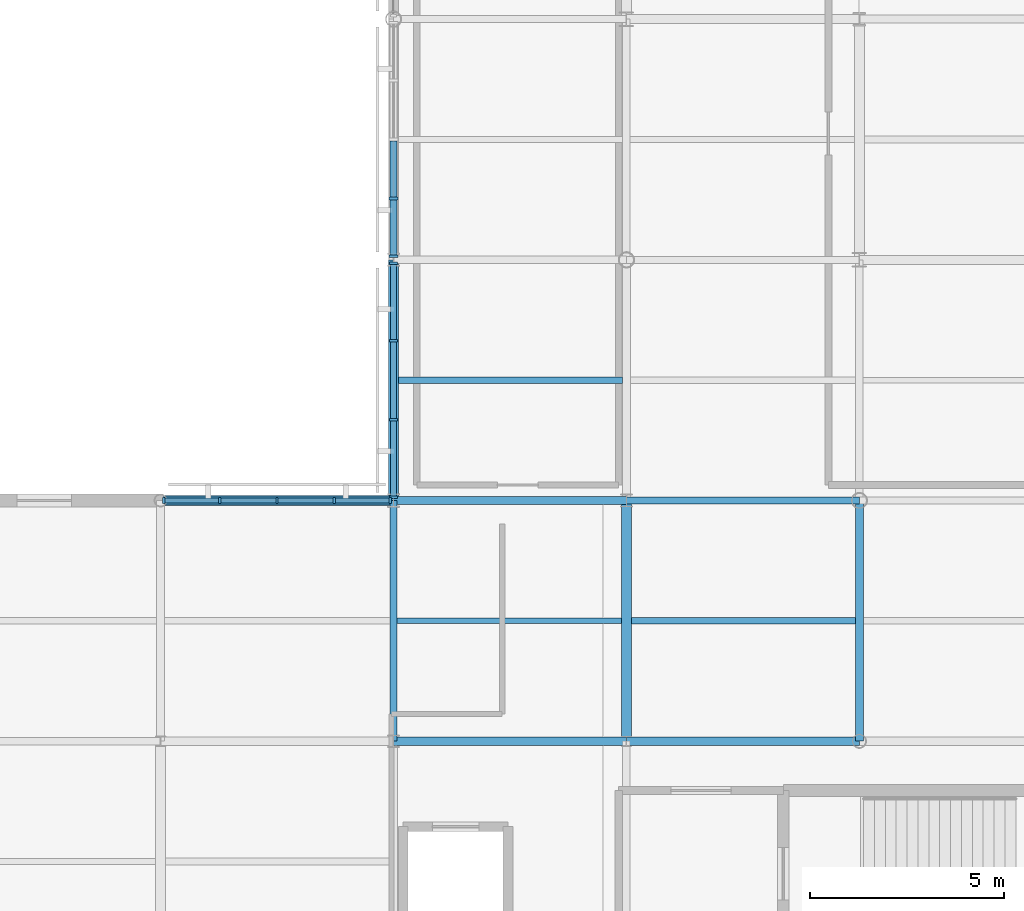
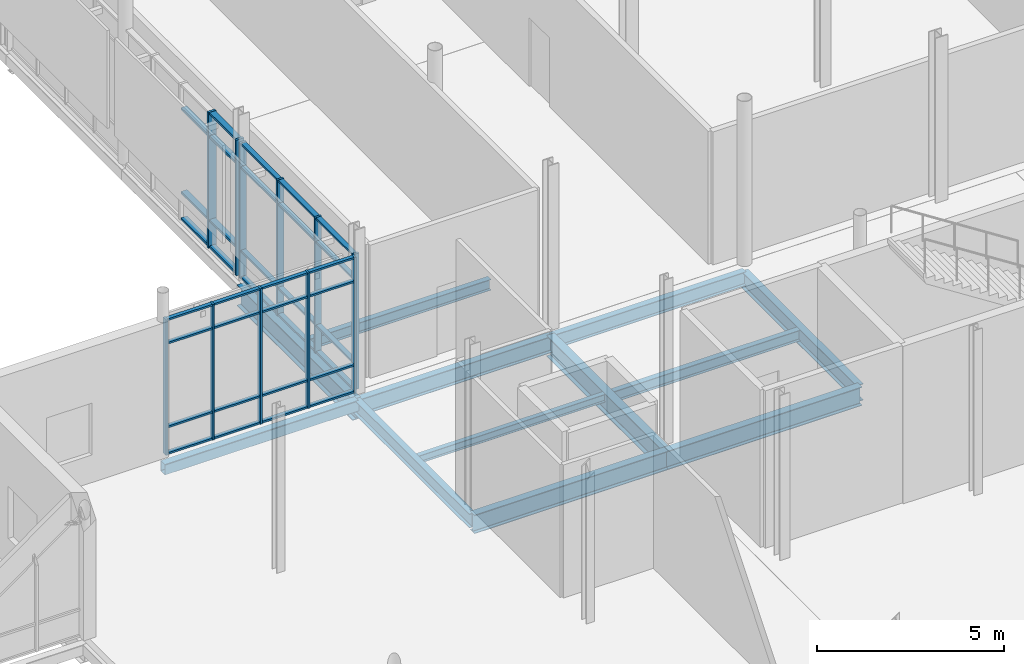
# One storey, part 42 of 105: 46 members, 12 beams, 3 elements without a shape of their own.
"""IFC4 building model written with IfcOpenShell, lengths in metres."""

from ifc_helpers import new_model, si_unit, direction, frame, origin, origin_2d, place, context, subcontext, project, spatial, rectangle, hollow_rectangle, i_section, extrude, material, layer, layer_set, material_profile, profile_set, type_object, element, aggregate, save


model = new_model("IFC4")

# Units and contexts
model_context = context("Model", 3, precision=1e-05, world=origin(), true_north=direction((0.0, 1.0)))
body_context = subcontext(model_context, "Body", "Model", "MODEL_VIEW")
ifc_project = project(units=[si_unit("LENGTHUNIT", "METRE"), si_unit("AREAUNIT", "SQUARE_METRE"), si_unit("VOLUMEUNIT", "CUBIC_METRE"), si_unit("PLANEANGLEUNIT", "RADIAN"), si_unit("MASSUNIT", "GRAM", prefix="KILO")], contexts=[model_context])

# Site, building, storey
site_placement = place(None, origin())
site = spatial("IfcSite", under=ifc_project, at=site_placement, CompositionType="ELEMENT")
building_placement = place(site_placement, origin())
building = spatial("IfcBuilding", under=site, at=building_placement, Name="Mirzam Square Science Centre", CompositionType="ELEMENT")
storey_placement = place(building_placement, frame((0.0, 0.0, 5.39990234375)))
storey = spatial("IfcBuildingStorey", under=building, at=storey_placement, Name="L01", CompositionType="ELEMENT", Elevation=5.39990234375)

# Beams
ifc_material_1 = material(Name="Steel S355", Category="steel")
ifc_material_profile_1 = material_profile(ifc_material_1, i_section(OverallWidth=0.19140625, OverallDepth=0.4599609375, WebThickness=0.010009765625, FlangeThickness=0.01611328125, FilletRadius=0.01025390625, at=origin_2d()), Name="457x191x82UB")
ifc_profile_set_1 = profile_set([ifc_material_profile_1], Name="Steel S355")
beam_type_1 = type_object("IfcBeamType", Name="BM-UB457", PredefinedType="BEAM", material=ifc_profile_set_1)
beam_1_placement = place(storey_placement, frame((120.0, 86.800048828125, -0.47998046875), z_axis=(1.0, 0.0, 0.0), x_axis=(0.0, 1.0, 0.0)))
element("IfcBeam", 1, at=beam_1_placement, inside=storey, type_object=beam_type_1, Name="L01 girder X21-15", PredefinedType="BEAM", context=body_context, shape_type="SweptSolid", body=[
    extrude(i_section(OverallWidth=0.19140625, OverallDepth=0.4599609375, WebThickness=0.010009765625, FlangeThickness=0.01611328125, FilletRadius=0.01025390625, at=origin_2d()), origin(), (0.0, 0.0, 1.0), 6.0),
])
beam_2_placement = place(storey_placement, frame((114.0, 80.60009765625, -0.47998046875), z_axis=(0.0, 1.0, 0.0), x_axis=(-1.0, 0.0, 0.0)))
element("IfcBeam", 2, at=beam_2_placement, inside=storey, type_object=beam_type_1, Name="L01 girder Y20-14", PredefinedType="BEAM", context=body_context, shape_type="SweptSolid", body=[
    extrude(i_section(OverallWidth=0.19140625, OverallDepth=0.4599609375, WebThickness=0.010009765625, FlangeThickness=0.01611328125, FilletRadius=0.01025390625, at=origin_2d()), origin(), (0.0, 0.0, 1.0), 6.199951171875),
])
ifc_material_profile_2 = material_profile(ifc_material_1, i_section(OverallWidth=0.2099609375, OverallDepth=0.53662109375, WebThickness=0.0107421875, FlangeThickness=0.017333984375, FilletRadius=0.0126953125, at=origin_2d()), Name="533x210x101UB")
ifc_profile_set_2 = profile_set([ifc_material_profile_2], Name="Steel S355")
beam_type_2 = type_object("IfcBeamType", Name="BM-UB533", PredefinedType="BEAM", material=ifc_profile_set_2)
beam_3_placement = place(storey_placement, frame((114.0, 86.800048828125, -0.518310546875), z_axis=(1.0, 0.0, 0.0), x_axis=(0.0, 1.0, 0.0)))
element("IfcBeam", 3, at=beam_3_placement, inside=storey, type_object=beam_type_2, Name="L01 girder X20-15", PredefinedType="BEAM", context=body_context, shape_type="SweptSolid", body=[
    extrude(i_section(OverallWidth=0.2099609375, OverallDepth=0.53662109375, WebThickness=0.0107421875, FlangeThickness=0.017333984375, FilletRadius=0.0126953125, at=origin_2d()), origin(), (0.0, 0.0, 1.0), 6.0),
])
beam_4_placement = place(storey_placement, frame((126.0, 80.60009765625, -0.518310546875), z_axis=(0.0, 1.0, 0.0), x_axis=(-1.0, 0.0, 0.0)))
element("IfcBeam", 4, at=beam_4_placement, inside=storey, type_object=beam_type_2, Name="L01 girder Y22-14", PredefinedType="BEAM", context=body_context, shape_type="SweptSolid", body=[
    extrude(i_section(OverallWidth=0.2099609375, OverallDepth=0.53662109375, WebThickness=0.0107421875, FlangeThickness=0.017333984375, FilletRadius=0.0126953125, at=origin_2d()), origin(), (0.0, 0.0, 1.0), 6.199951171875),
])
ifc_material_profile_3 = material_profile(ifc_material_1, i_section(OverallWidth=0.22900390625, OverallDepth=0.6123046875, WebThickness=0.011962890625, FlangeThickness=0.01953125, FilletRadius=0.0126953125, at=origin_2d()), Name="610x229x125UB")
ifc_profile_set_3 = profile_set([ifc_material_profile_3], Name="Steel S355")
beam_type_3 = type_object("IfcBeamType", Name="BM-UB610", PredefinedType="BEAM", material=ifc_profile_set_3)
for number, where, z_axis, x_axis, name in (
    (5, (114.0, 80.60009765625, -0.555908203125), (1.0, 0.0, 0.0), (0.0, 1.0, 0.0), "L01 girder X20-14"),
    (6, (120.0, 80.60009765625, -0.555908203125), (1.0, 0.0, 0.0), (0.0, 1.0, 0.0), "L01 girder X21-14"),
):
    element("IfcBeam", number, at=place(storey_placement, frame(where, z_axis=z_axis, x_axis=x_axis)), inside=storey, type_object=beam_type_3, Name=name, PredefinedType="BEAM", context=body_context, shape_type="SweptSolid", body=[
        extrude(i_section(OverallWidth=0.22900390625, OverallDepth=0.6123046875, WebThickness=0.011962890625, FlangeThickness=0.01953125, FilletRadius=0.0126953125, at=origin_2d()), origin(), (0.0, 0.0, 1.0), 6.0),
    ])
ifc_material_profile_4 = material_profile(ifc_material_1, i_section(OverallWidth=0.25439453125, OverallDepth=0.6875, WebThickness=0.01318359375, FlangeThickness=0.02099609375, FilletRadius=0.01513671875, at=origin_2d()), Name="686x254x152UB")
ifc_profile_set_4 = profile_set([ifc_material_profile_4], Name="Steel S355")
beam_type_4 = type_object("IfcBeamType", Name="BM-UB686", PredefinedType="BEAM", material=ifc_profile_set_4)
for number, where, z_axis, x_axis, name in (
    (7, (114.0, 86.800048828125, -0.593505859375), (0.0, 1.0, 0.0), (-1.0, 0.0, 0.0), "L01 girder Y20-15"),
    (8, (120.0, 80.60009765625, -0.593505859375), (0.0, 1.0, 0.0), (-1.0, 0.0, 0.0), "L01 girder Y21-14"),
):
    element("IfcBeam", number, at=place(storey_placement, frame(where, z_axis=z_axis, x_axis=x_axis)), inside=storey, type_object=beam_type_4, Name=name, PredefinedType="BEAM", context=body_context, shape_type="SweptSolid", body=[
        extrude(i_section(OverallWidth=0.25439453125, OverallDepth=0.6875, WebThickness=0.01318359375, FlangeThickness=0.02099609375, FilletRadius=0.01513671875, at=origin_2d()), origin(), (0.0, 0.0, 1.0), 6.199951171875),
    ])

# Curtain wall, members
ifc_material_2 = material(Name="Anodised Aluminium and Low-E Solar Glass", Category="aluminium")
ifc_layer_1 = layer(ifc_material_2, 0.159912109375)
ifc_layer_set_1 = layer_set([ifc_layer_1], Name="CW-COURT-B")
curtain_wall_type_1 = type_object("IfcCurtainWallType", Name="CW-COURT-B", PredefinedType="USERDEFINED", material=ifc_layer_set_1)
curtain_wall_1_placement = place(storey_placement, origin())
curtain_wall_1 = element("IfcCurtainWall", 9, at=curtain_wall_1_placement, inside=storey, type_object=curtain_wall_type_1, Name="L01 unitised curtain wall 89", ObjectType="UNITISED CURTAIN WALL", PredefinedType="USERDEFINED")
ifc_material_3 = material(Name="Anodised Architectural Aluminium 6063-T6", Category="aluminium")
ifc_material_profile_5 = material_profile(ifc_material_3, rectangle(XDim=0.06005859375, YDim=0.159912109375, at=origin_2d()), Name="ALU-MULL-160x60x4")
ifc_profile_set_5 = profile_set([ifc_material_profile_5], Name="Anodised Architectural Aluminium 6063-T6")
member_type_1 = type_object("IfcMemberType", Name="CWM-160", PredefinedType="MULLION", material=ifc_profile_set_5)
member_1_placement = place(storey_placement, frame((113.9150390625, 86.800048828125, 0.0), z_axis=(0.0, 0.0, 1.0), x_axis=(-1.0, 0.0, 0.0)))
member_1 = element("IfcMember", 10, at=member_1_placement, type_object=member_type_1, Name="CW-04 mullion 1", PredefinedType="MULLION", context=body_context, shape_type="SweptSolid", body=[
    extrude(rectangle(XDim=0.06005859375, YDim=0.159912109375, at=origin_2d()), origin(), (0.0, 0.0, 1.0), 4.440185546875),
])
member_2_placement = place(storey_placement, frame((112.472412109375, 86.800048828125, 0.0), z_axis=(0.0, 0.0, 1.0), x_axis=(-1.0, 0.0, 0.0)))
member_2 = element("IfcMember", 11, at=member_2_placement, type_object=member_type_1, Name="CW-04 mullion 2", PredefinedType="MULLION", context=body_context, shape_type="SweptSolid", body=[
    extrude(rectangle(XDim=0.06005859375, YDim=0.159912109375, at=origin_2d()), origin(), (0.0, 0.0, 1.0), 4.440185546875),
])
member_3_placement = place(storey_placement, frame((111.0, 86.800048828125, 0.0), z_axis=(0.0, 0.0, 1.0), x_axis=(-1.0, 0.0, 0.0)))
member_3 = element("IfcMember", 12, at=member_3_placement, type_object=member_type_1, Name="CW-04 mullion 3", PredefinedType="MULLION", context=body_context, shape_type="SweptSolid", body=[
    extrude(rectangle(XDim=0.06005859375, YDim=0.159912109375, at=origin_2d()), origin(), (0.0, 0.0, 1.0), 4.440185546875),
])
member_4_placement = place(storey_placement, frame((109.527587890625, 86.800048828125, 0.0), z_axis=(0.0, 0.0, 1.0), x_axis=(-1.0, 0.0, 0.0)))
member_4 = element("IfcMember", 13, at=member_4_placement, type_object=member_type_1, Name="CW-04 mullion 4", PredefinedType="MULLION", context=body_context, shape_type="SweptSolid", body=[
    extrude(rectangle(XDim=0.06005859375, YDim=0.159912109375, at=origin_2d()), origin(), (0.0, 0.0, 1.0), 4.440185546875),
])
member_5_placement = place(storey_placement, frame((108.0849609375, 86.800048828125, 0.0), z_axis=(0.0, 0.0, 1.0), x_axis=(-1.0, 0.0, 0.0)))
member_5 = element("IfcMember", 14, at=member_5_placement, type_object=member_type_1, Name="CW-04 mullion 5", PredefinedType="MULLION", context=body_context, shape_type="SweptSolid", body=[
    extrude(rectangle(XDim=0.06005859375, YDim=0.159912109375, at=origin_2d()), origin(), (0.0, 0.0, 1.0), 4.440185546875),
])

ifc_layer_2 = layer(ifc_material_2, 0.199951171875)
ifc_layer_set_2 = layer_set([ifc_layer_2], Name="CW-PARK-B")
curtain_wall_type_2 = type_object("IfcCurtainWallType", Name="CW-PARK-B", PredefinedType="USERDEFINED", material=ifc_layer_set_2)
curtain_wall_2_placement = place(storey_placement, origin())
curtain_wall_2 = element("IfcCurtainWall", 15, at=curtain_wall_2_placement, inside=storey, type_object=curtain_wall_type_2, Name="L01 unitised curtain wall 92", ObjectType="UNITISED CURTAIN WALL", PredefinedType="USERDEFINED")
ifc_material_profile_6 = material_profile(ifc_material_3, rectangle(XDim=0.06494140625, YDim=0.199951171875, at=origin_2d()), Name="ALU-MULL-200x65x5")
ifc_profile_set_6 = profile_set([ifc_material_profile_6], Name="Anodised Architectural Aluminium 6063-T6")
member_type_2 = type_object("IfcMemberType", Name="CWM-200", PredefinedType="MULLION", material=ifc_profile_set_6)
member_6_placement = place(storey_placement, frame((114.0, 92.91259765625, 0.0), z_axis=(0.0, 0.0, 1.0), x_axis=(0.0, -1.0, 0.0)))
member_6 = element("IfcMember", 16, at=member_6_placement, type_object=member_type_2, Name="CW-02 mullion 1", PredefinedType="MULLION", context=body_context, shape_type="SweptSolid", body=[
    extrude(rectangle(XDim=0.06494140625, YDim=0.199951171875, at=origin_2d()), origin(), (0.0, 0.0, 1.0), 4.440185546875),
])
member_7_placement = place(storey_placement, frame((114.0, 90.9150390625, 0.0), z_axis=(0.0, 0.0, 1.0), x_axis=(0.0, -1.0, 0.0)))
member_7 = element("IfcMember", 17, at=member_7_placement, type_object=member_type_2, Name="CW-02 mullion 2", PredefinedType="MULLION", context=body_context, shape_type="SweptSolid", body=[
    extrude(rectangle(XDim=0.06494140625, YDim=0.199951171875, at=origin_2d()), origin(), (0.0, 0.0, 1.0), 4.440185546875),
])
member_8_placement = place(storey_placement, frame((114.0, 88.885009765625, 0.0), z_axis=(0.0, 0.0, 1.0), x_axis=(0.0, -1.0, 0.0)))
member_8 = element("IfcMember", 18, at=member_8_placement, type_object=member_type_2, Name="CW-02 mullion 3", PredefinedType="MULLION", context=body_context, shape_type="SweptSolid", body=[
    extrude(rectangle(XDim=0.06494140625, YDim=0.199951171875, at=origin_2d()), origin(), (0.0, 0.0, 1.0), 4.440185546875),
])
member_9_placement = place(storey_placement, frame((114.0, 86.887451171875, 0.0), z_axis=(0.0, 0.0, 1.0), x_axis=(0.0, -1.0, 0.0)))
member_9 = element("IfcMember", 19, at=member_9_placement, type_object=member_type_2, Name="CW-02 mullion 4", PredefinedType="MULLION", context=body_context, shape_type="SweptSolid", body=[
    extrude(rectangle(XDim=0.06494140625, YDim=0.199951171875, at=origin_2d()), origin(), (0.0, 0.0, 1.0), 4.440185546875),
])

ifc_layer_3 = layer(ifc_material_2, 0.159912109375)
ifc_layer_set_3 = layer_set([ifc_layer_3], Name="CW-COURT-A")
curtain_wall_type_3 = type_object("IfcCurtainWallType", Name="CW-COURT-A", PredefinedType="USERDEFINED", material=ifc_layer_set_3)
curtain_wall_3_placement = place(storey_placement, origin())
curtain_wall_3 = element("IfcCurtainWall", 20, at=curtain_wall_3_placement, inside=storey, type_object=curtain_wall_type_3, Name="L01 unitised curtain wall 94", ObjectType="UNITISED CURTAIN WALL", PredefinedType="USERDEFINED")
ifc_material_profile_7 = material_profile(ifc_material_3, rectangle(XDim=0.074951171875, YDim=0.239990234375, at=origin_2d()), Name="ALU-MULL-240x75x5")
ifc_profile_set_7 = profile_set([ifc_material_profile_7], Name="Anodised Architectural Aluminium 6063-T6")
member_type_3 = type_object("IfcMemberType", Name="CWM-240", PredefinedType="MULLION", material=ifc_profile_set_7)
member_10_placement = place(storey_placement, frame((114.0, 94.577392578125, 0.0), z_axis=(0.0, 0.0, 1.0), x_axis=(0.0, -1.0, 0.0)))
member_10 = element("IfcMember", 21, at=member_10_placement, type_object=member_type_3, Name="CW-03 mullion 4", PredefinedType="MULLION", context=body_context, shape_type="SweptSolid", body=[
    extrude(rectangle(XDim=0.074951171875, YDim=0.239990234375, at=origin_2d()), origin(), (0.0, 0.0, 1.0), 4.440185546875),
])
member_11_placement = place(storey_placement, frame((114.0, 93.092529296875, 0.0), z_axis=(0.0, 0.0, 1.0), x_axis=(0.0, -1.0, 0.0)))
member_11 = element("IfcMember", 22, at=member_11_placement, type_object=member_type_3, Name="CW-03 mullion 5", PredefinedType="MULLION", context=body_context, shape_type="SweptSolid", body=[
    extrude(rectangle(XDim=0.074951171875, YDim=0.239990234375, at=origin_2d()), origin(), (0.0, 0.0, 1.0), 4.440185546875),
])

# Member
ifc_material_profile_8 = material_profile(ifc_material_3, rectangle(XDim=0.1201171875, YDim=0.06005859375, at=origin_2d()), Name="ALU-TRAN-120x60x4")
ifc_profile_set_8 = profile_set([ifc_material_profile_8], Name="Anodised Architectural Aluminium 6063-T6")
member_type_4 = type_object("IfcMemberType", Name="CWT-120", PredefinedType="USERDEFINED", material=ifc_profile_set_8)
member_12_placement = place(storey_placement, frame((113.885009765625, 86.800048828125, 0.030029296875), z_axis=(-1.0, 0.0, 0.0), x_axis=(0.0, -1.0, 0.0)))
member_12 = element("IfcMember", 23, at=member_12_placement, type_object=member_type_4, Name="CW-04 transom 1.1", ObjectType="TRANSOM", PredefinedType="USERDEFINED", context=body_context, shape_type="SweptSolid", body=[
    extrude(rectangle(XDim=0.1201171875, YDim=0.06005859375, at=origin_2d()), origin(), (0.0, 0.0, 1.0), 1.382568359375),
])

member_13_placement = place(storey_placement, frame((113.885009765625, 86.800048828125, 0.900146484375), z_axis=(-1.0, 0.0, 0.0), x_axis=(0.0, -1.0, 0.0)))
member_13 = element("IfcMember", 24, at=member_13_placement, type_object=member_type_4, Name="CW-04 transom 1.2", ObjectType="TRANSOM", PredefinedType="USERDEFINED", context=body_context, shape_type="SweptSolid", body=[
    extrude(rectangle(XDim=0.1201171875, YDim=0.06005859375, at=origin_2d()), origin(), (0.0, 0.0, 1.0), 1.382568359375),
])

member_14_placement = place(storey_placement, frame((113.885009765625, 86.800048828125, 3.64013671875), z_axis=(-1.0, 0.0, 0.0), x_axis=(0.0, -1.0, 0.0)))
member_14 = element("IfcMember", 25, at=member_14_placement, type_object=member_type_4, Name="CW-04 transom 1.3", ObjectType="TRANSOM", PredefinedType="USERDEFINED", context=body_context, shape_type="SweptSolid", body=[
    extrude(rectangle(XDim=0.1201171875, YDim=0.06005859375, at=origin_2d()), origin(), (0.0, 0.0, 1.0), 1.382568359375),
])

member_15_placement = place(storey_placement, frame((113.885009765625, 86.800048828125, 4.41015625), z_axis=(-1.0, 0.0, 0.0), x_axis=(0.0, -1.0, 0.0)))
member_15 = element("IfcMember", 26, at=member_15_placement, type_object=member_type_4, Name="CW-04 transom 1.4", ObjectType="TRANSOM", PredefinedType="USERDEFINED", context=body_context, shape_type="SweptSolid", body=[
    extrude(rectangle(XDim=0.1201171875, YDim=0.06005859375, at=origin_2d()), origin(), (0.0, 0.0, 1.0), 1.382568359375),
])

member_16_placement = place(storey_placement, frame((112.4423828125, 86.800048828125, 0.030029296875), z_axis=(-1.0, 0.0, 0.0), x_axis=(0.0, -1.0, 0.0)))
member_16 = element("IfcMember", 27, at=member_16_placement, type_object=member_type_4, Name="CW-04 transom 2.1", ObjectType="TRANSOM", PredefinedType="USERDEFINED", context=body_context, shape_type="SweptSolid", body=[
    extrude(rectangle(XDim=0.1201171875, YDim=0.06005859375, at=origin_2d()), origin(), (0.0, 0.0, 1.0), 1.412353515625),
])

member_17_placement = place(storey_placement, frame((112.4423828125, 86.800048828125, 0.900146484375), z_axis=(-1.0, 0.0, 0.0), x_axis=(0.0, -1.0, 0.0)))
member_17 = element("IfcMember", 28, at=member_17_placement, type_object=member_type_4, Name="CW-04 transom 2.2", ObjectType="TRANSOM", PredefinedType="USERDEFINED", context=body_context, shape_type="SweptSolid", body=[
    extrude(rectangle(XDim=0.1201171875, YDim=0.06005859375, at=origin_2d()), origin(), (0.0, 0.0, 1.0), 1.412353515625),
])

member_18_placement = place(storey_placement, frame((112.4423828125, 86.800048828125, 3.64013671875), z_axis=(-1.0, 0.0, 0.0), x_axis=(0.0, -1.0, 0.0)))
member_18 = element("IfcMember", 29, at=member_18_placement, type_object=member_type_4, Name="CW-04 transom 2.3", ObjectType="TRANSOM", PredefinedType="USERDEFINED", context=body_context, shape_type="SweptSolid", body=[
    extrude(rectangle(XDim=0.1201171875, YDim=0.06005859375, at=origin_2d()), origin(), (0.0, 0.0, 1.0), 1.412353515625),
])

member_19_placement = place(storey_placement, frame((112.4423828125, 86.800048828125, 4.41015625), z_axis=(-1.0, 0.0, 0.0), x_axis=(0.0, -1.0, 0.0)))
member_19 = element("IfcMember", 30, at=member_19_placement, type_object=member_type_4, Name="CW-04 transom 2.4", ObjectType="TRANSOM", PredefinedType="USERDEFINED", context=body_context, shape_type="SweptSolid", body=[
    extrude(rectangle(XDim=0.1201171875, YDim=0.06005859375, at=origin_2d()), origin(), (0.0, 0.0, 1.0), 1.412353515625),
])

member_20_placement = place(storey_placement, frame((110.969970703125, 86.800048828125, 0.030029296875), z_axis=(-1.0, 0.0, 0.0), x_axis=(0.0, -1.0, 0.0)))
member_20 = element("IfcMember", 31, at=member_20_placement, type_object=member_type_4, Name="CW-04 transom 3.1", ObjectType="TRANSOM", PredefinedType="USERDEFINED", context=body_context, shape_type="SweptSolid", body=[
    extrude(rectangle(XDim=0.1201171875, YDim=0.06005859375, at=origin_2d()), origin(), (0.0, 0.0, 1.0), 1.412353515625),
])

member_21_placement = place(storey_placement, frame((110.969970703125, 86.800048828125, 0.900146484375), z_axis=(-1.0, 0.0, 0.0), x_axis=(0.0, -1.0, 0.0)))
member_21 = element("IfcMember", 32, at=member_21_placement, type_object=member_type_4, Name="CW-04 transom 3.2", ObjectType="TRANSOM", PredefinedType="USERDEFINED", context=body_context, shape_type="SweptSolid", body=[
    extrude(rectangle(XDim=0.1201171875, YDim=0.06005859375, at=origin_2d()), origin(), (0.0, 0.0, 1.0), 1.412353515625),
])

member_22_placement = place(storey_placement, frame((110.969970703125, 86.800048828125, 3.64013671875), z_axis=(-1.0, 0.0, 0.0), x_axis=(0.0, -1.0, 0.0)))
member_22 = element("IfcMember", 33, at=member_22_placement, type_object=member_type_4, Name="CW-04 transom 3.3", ObjectType="TRANSOM", PredefinedType="USERDEFINED", context=body_context, shape_type="SweptSolid", body=[
    extrude(rectangle(XDim=0.1201171875, YDim=0.06005859375, at=origin_2d()), origin(), (0.0, 0.0, 1.0), 1.412353515625),
])

member_23_placement = place(storey_placement, frame((110.969970703125, 86.800048828125, 4.41015625), z_axis=(-1.0, 0.0, 0.0), x_axis=(0.0, -1.0, 0.0)))
member_23 = element("IfcMember", 34, at=member_23_placement, type_object=member_type_4, Name="CW-04 transom 3.4", ObjectType="TRANSOM", PredefinedType="USERDEFINED", context=body_context, shape_type="SweptSolid", body=[
    extrude(rectangle(XDim=0.1201171875, YDim=0.06005859375, at=origin_2d()), origin(), (0.0, 0.0, 1.0), 1.412353515625),
])

member_24_placement = place(storey_placement, frame((109.49755859375, 86.800048828125, 0.030029296875), z_axis=(-1.0, 0.0, 0.0), x_axis=(0.0, -1.0, 0.0)))
member_24 = element("IfcMember", 35, at=member_24_placement, type_object=member_type_4, Name="CW-04 transom 4.1", ObjectType="TRANSOM", PredefinedType="USERDEFINED", context=body_context, shape_type="SweptSolid", body=[
    extrude(rectangle(XDim=0.1201171875, YDim=0.06005859375, at=origin_2d()), origin(), (0.0, 0.0, 1.0), 1.382568359375),
])

member_25_placement = place(storey_placement, frame((109.49755859375, 86.800048828125, 0.900146484375), z_axis=(-1.0, 0.0, 0.0), x_axis=(0.0, -1.0, 0.0)))
member_25 = element("IfcMember", 36, at=member_25_placement, type_object=member_type_4, Name="CW-04 transom 4.2", ObjectType="TRANSOM", PredefinedType="USERDEFINED", context=body_context, shape_type="SweptSolid", body=[
    extrude(rectangle(XDim=0.1201171875, YDim=0.06005859375, at=origin_2d()), origin(), (0.0, 0.0, 1.0), 1.382568359375),
])

member_26_placement = place(storey_placement, frame((109.49755859375, 86.800048828125, 3.64013671875), z_axis=(-1.0, 0.0, 0.0), x_axis=(0.0, -1.0, 0.0)))
member_26 = element("IfcMember", 37, at=member_26_placement, type_object=member_type_4, Name="CW-04 transom 4.3", ObjectType="TRANSOM", PredefinedType="USERDEFINED", context=body_context, shape_type="SweptSolid", body=[
    extrude(rectangle(XDim=0.1201171875, YDim=0.06005859375, at=origin_2d()), origin(), (0.0, 0.0, 1.0), 1.382568359375),
])

member_27_placement = place(storey_placement, frame((109.49755859375, 86.800048828125, 4.41015625), z_axis=(-1.0, 0.0, 0.0), x_axis=(0.0, -1.0, 0.0)))
member_27 = element("IfcMember", 38, at=member_27_placement, type_object=member_type_4, Name="CW-04 transom 4.4", ObjectType="TRANSOM", PredefinedType="USERDEFINED", context=body_context, shape_type="SweptSolid", body=[
    extrude(rectangle(XDim=0.1201171875, YDim=0.06005859375, at=origin_2d()), origin(), (0.0, 0.0, 1.0), 1.382568359375),
])

aggregate(curtain_wall_1, [member_1, member_2, member_3, member_4, member_5, member_12, member_13, member_14, member_15, member_16, member_17, member_18, member_19, member_20, member_21, member_22, member_23, member_24, member_25, member_26, member_27])

ifc_material_profile_9 = material_profile(ifc_material_3, rectangle(XDim=0.14990234375, YDim=0.06494140625, at=origin_2d()), Name="ALU-TRAN-150x65x4")
ifc_profile_set_9 = profile_set([ifc_material_profile_9], Name="Anodised Architectural Aluminium 6063-T6")
member_type_5 = type_object("IfcMemberType", Name="CWT-150", PredefinedType="USERDEFINED", material=ifc_profile_set_9)
member_28_placement = place(storey_placement, frame((114.0, 92.8798828125, 0.03271484375), z_axis=(0.0, -1.0, 0.0), x_axis=(1.0, 0.0, 0.0)))
member_28 = element("IfcMember", 39, at=member_28_placement, type_object=member_type_5, Name="CW-02 transom 1.1", ObjectType="TRANSOM", PredefinedType="USERDEFINED", context=body_context, shape_type="SweptSolid", body=[
    extrude(rectangle(XDim=0.14990234375, YDim=0.06494140625, at=origin_2d()), origin(), (0.0, 0.0, 1.0), 1.932373046875),
])

member_29_placement = place(storey_placement, frame((114.0, 92.8798828125, 0.900146484375), z_axis=(0.0, -1.0, 0.0), x_axis=(1.0, 0.0, 0.0)))
member_29 = element("IfcMember", 40, at=member_29_placement, type_object=member_type_5, Name="CW-02 transom 1.2", ObjectType="TRANSOM", PredefinedType="USERDEFINED", context=body_context, shape_type="SweptSolid", body=[
    extrude(rectangle(XDim=0.14990234375, YDim=0.06494140625, at=origin_2d()), origin(), (0.0, 0.0, 1.0), 1.932373046875),
])

member_30_placement = place(storey_placement, frame((114.0, 92.8798828125, 3.64013671875), z_axis=(0.0, -1.0, 0.0), x_axis=(1.0, 0.0, 0.0)))
member_30 = element("IfcMember", 41, at=member_30_placement, type_object=member_type_5, Name="CW-02 transom 1.3", ObjectType="TRANSOM", PredefinedType="USERDEFINED", context=body_context, shape_type="SweptSolid", body=[
    extrude(rectangle(XDim=0.14990234375, YDim=0.06494140625, at=origin_2d()), origin(), (0.0, 0.0, 1.0), 1.932373046875),
])

member_31_placement = place(storey_placement, frame((114.0, 92.8798828125, 4.40771484375), z_axis=(0.0, -1.0, 0.0), x_axis=(1.0, 0.0, 0.0)))
member_31 = element("IfcMember", 42, at=member_31_placement, type_object=member_type_5, Name="CW-02 transom 1.4", ObjectType="TRANSOM", PredefinedType="USERDEFINED", context=body_context, shape_type="SweptSolid", body=[
    extrude(rectangle(XDim=0.14990234375, YDim=0.06494140625, at=origin_2d()), origin(), (0.0, 0.0, 1.0), 1.932373046875),
])

member_32_placement = place(storey_placement, frame((114.0, 90.882568359375, 0.03271484375), z_axis=(0.0, -1.0, 0.0), x_axis=(1.0, 0.0, 0.0)))
member_32 = element("IfcMember", 43, at=member_32_placement, type_object=member_type_5, Name="CW-02 transom 2.1", ObjectType="TRANSOM", PredefinedType="USERDEFINED", context=body_context, shape_type="SweptSolid", body=[
    extrude(rectangle(XDim=0.14990234375, YDim=0.06494140625, at=origin_2d()), origin(), (0.0, 0.0, 1.0), 1.965087890625),
])

member_33_placement = place(storey_placement, frame((114.0, 90.882568359375, 0.900146484375), z_axis=(0.0, -1.0, 0.0), x_axis=(1.0, 0.0, 0.0)))
member_33 = element("IfcMember", 44, at=member_33_placement, type_object=member_type_5, Name="CW-02 transom 2.2", ObjectType="TRANSOM", PredefinedType="USERDEFINED", context=body_context, shape_type="SweptSolid", body=[
    extrude(rectangle(XDim=0.14990234375, YDim=0.06494140625, at=origin_2d()), origin(), (0.0, 0.0, 1.0), 1.965087890625),
])

member_34_placement = place(storey_placement, frame((114.0, 90.882568359375, 3.64013671875), z_axis=(0.0, -1.0, 0.0), x_axis=(1.0, 0.0, 0.0)))
member_34 = element("IfcMember", 45, at=member_34_placement, type_object=member_type_5, Name="CW-02 transom 2.3", ObjectType="TRANSOM", PredefinedType="USERDEFINED", context=body_context, shape_type="SweptSolid", body=[
    extrude(rectangle(XDim=0.14990234375, YDim=0.06494140625, at=origin_2d()), origin(), (0.0, 0.0, 1.0), 1.965087890625),
])

member_35_placement = place(storey_placement, frame((114.0, 90.882568359375, 4.40771484375), z_axis=(0.0, -1.0, 0.0), x_axis=(1.0, 0.0, 0.0)))
member_35 = element("IfcMember", 46, at=member_35_placement, type_object=member_type_5, Name="CW-02 transom 2.4", ObjectType="TRANSOM", PredefinedType="USERDEFINED", context=body_context, shape_type="SweptSolid", body=[
    extrude(rectangle(XDim=0.14990234375, YDim=0.06494140625, at=origin_2d()), origin(), (0.0, 0.0, 1.0), 1.965087890625),
])

member_36_placement = place(storey_placement, frame((114.0, 88.8525390625, 0.03271484375), z_axis=(0.0, -1.0, 0.0), x_axis=(1.0, 0.0, 0.0)))
member_36 = element("IfcMember", 47, at=member_36_placement, type_object=member_type_5, Name="CW-02 transom 3.1", ObjectType="TRANSOM", PredefinedType="USERDEFINED", context=body_context, shape_type="SweptSolid", body=[
    extrude(rectangle(XDim=0.14990234375, YDim=0.06494140625, at=origin_2d()), origin(), (0.0, 0.0, 1.0), 1.9326171875),
])

member_37_placement = place(storey_placement, frame((114.0, 88.8525390625, 0.900146484375), z_axis=(0.0, -1.0, 0.0), x_axis=(1.0, 0.0, 0.0)))
member_37 = element("IfcMember", 48, at=member_37_placement, type_object=member_type_5, Name="CW-02 transom 3.2", ObjectType="TRANSOM", PredefinedType="USERDEFINED", context=body_context, shape_type="SweptSolid", body=[
    extrude(rectangle(XDim=0.14990234375, YDim=0.06494140625, at=origin_2d()), origin(), (0.0, 0.0, 1.0), 1.9326171875),
])

member_38_placement = place(storey_placement, frame((114.0, 88.8525390625, 3.64013671875), z_axis=(0.0, -1.0, 0.0), x_axis=(1.0, 0.0, 0.0)))
member_38 = element("IfcMember", 49, at=member_38_placement, type_object=member_type_5, Name="CW-02 transom 3.3", ObjectType="TRANSOM", PredefinedType="USERDEFINED", context=body_context, shape_type="SweptSolid", body=[
    extrude(rectangle(XDim=0.14990234375, YDim=0.06494140625, at=origin_2d()), origin(), (0.0, 0.0, 1.0), 1.9326171875),
])

member_39_placement = place(storey_placement, frame((114.0, 88.8525390625, 4.40771484375), z_axis=(0.0, -1.0, 0.0), x_axis=(1.0, 0.0, 0.0)))
member_39 = element("IfcMember", 50, at=member_39_placement, type_object=member_type_5, Name="CW-02 transom 3.4", ObjectType="TRANSOM", PredefinedType="USERDEFINED", context=body_context, shape_type="SweptSolid", body=[
    extrude(rectangle(XDim=0.14990234375, YDim=0.06494140625, at=origin_2d()), origin(), (0.0, 0.0, 1.0), 1.9326171875),
])

aggregate(curtain_wall_2, [member_6, member_7, member_8, member_9, member_28, member_29, member_30, member_31, member_32, member_33, member_34, member_35, member_36, member_37, member_38, member_39])

ifc_material_profile_10 = material_profile(ifc_material_3, rectangle(XDim=0.179931640625, YDim=0.074951171875, at=origin_2d()), Name="ALU-TRAN-180x75x5")
ifc_profile_set_10 = profile_set([ifc_material_profile_10], Name="Anodised Architectural Aluminium 6063-T6")
member_type_6 = type_object("IfcMemberType", Name="CWT-180", PredefinedType="USERDEFINED", material=ifc_profile_set_10)
member_40_placement = place(storey_placement, frame((114.0, 96.0625, 0.03759765625), z_axis=(0.0, -1.0, 0.0), x_axis=(1.0, 0.0, 0.0)))
member_40 = element("IfcMember", 51, at=member_40_placement, type_object=member_type_6, Name="CW-03 transom 3.1", ObjectType="TRANSOM", PredefinedType="USERDEFINED", context=body_context, shape_type="SweptSolid", body=[
    extrude(rectangle(XDim=0.179931640625, YDim=0.074951171875, at=origin_2d()), origin(), (0.0, 0.0, 1.0), 1.447509765625),
])

member_41_placement = place(storey_placement, frame((114.0, 96.0625, 0.900146484375), z_axis=(0.0, -1.0, 0.0), x_axis=(1.0, 0.0, 0.0)))
member_41 = element("IfcMember", 52, at=member_41_placement, type_object=member_type_6, Name="CW-03 transom 3.2", ObjectType="TRANSOM", PredefinedType="USERDEFINED", context=body_context, shape_type="SweptSolid", body=[
    extrude(rectangle(XDim=0.179931640625, YDim=0.074951171875, at=origin_2d()), origin(), (0.0, 0.0, 1.0), 1.447509765625),
])

member_42_placement = place(storey_placement, frame((114.0, 96.0625, 3.64013671875), z_axis=(0.0, -1.0, 0.0), x_axis=(1.0, 0.0, 0.0)))
member_42 = element("IfcMember", 53, at=member_42_placement, type_object=member_type_6, Name="CW-03 transom 3.3", ObjectType="TRANSOM", PredefinedType="USERDEFINED", context=body_context, shape_type="SweptSolid", body=[
    extrude(rectangle(XDim=0.179931640625, YDim=0.074951171875, at=origin_2d()), origin(), (0.0, 0.0, 1.0), 1.447509765625),
])

member_43_placement = place(storey_placement, frame((114.0, 94.5400390625, 0.03759765625), z_axis=(0.0, -1.0, 0.0), x_axis=(1.0, 0.0, 0.0)))
member_43 = element("IfcMember", 54, at=member_43_placement, type_object=member_type_6, Name="CW-03 transom 4.1", ObjectType="TRANSOM", PredefinedType="USERDEFINED", context=body_context, shape_type="SweptSolid", body=[
    extrude(rectangle(XDim=0.179931640625, YDim=0.074951171875, at=origin_2d()), origin(), (0.0, 0.0, 1.0), 1.41015625),
])

member_44_placement = place(storey_placement, frame((114.0, 94.5400390625, 0.900146484375), z_axis=(0.0, -1.0, 0.0), x_axis=(1.0, 0.0, 0.0)))
member_44 = element("IfcMember", 55, at=member_44_placement, type_object=member_type_6, Name="CW-03 transom 4.2", ObjectType="TRANSOM", PredefinedType="USERDEFINED", context=body_context, shape_type="SweptSolid", body=[
    extrude(rectangle(XDim=0.179931640625, YDim=0.074951171875, at=origin_2d()), origin(), (0.0, 0.0, 1.0), 1.41015625),
])

member_45_placement = place(storey_placement, frame((114.0, 94.5400390625, 3.64013671875), z_axis=(0.0, -1.0, 0.0), x_axis=(1.0, 0.0, 0.0)))
member_45 = element("IfcMember", 56, at=member_45_placement, type_object=member_type_6, Name="CW-03 transom 4.3", ObjectType="TRANSOM", PredefinedType="USERDEFINED", context=body_context, shape_type="SweptSolid", body=[
    extrude(rectangle(XDim=0.179931640625, YDim=0.074951171875, at=origin_2d()), origin(), (0.0, 0.0, 1.0), 1.41015625),
])

member_46_placement = place(storey_placement, frame((114.0, 94.5400390625, 4.402587890625), z_axis=(0.0, -1.0, 0.0), x_axis=(1.0, 0.0, 0.0)))
member_46 = element("IfcMember", 57, at=member_46_placement, type_object=member_type_6, Name="CW-03 transom 4.4", ObjectType="TRANSOM", PredefinedType="USERDEFINED", context=body_context, shape_type="SweptSolid", body=[
    extrude(rectangle(XDim=0.179931640625, YDim=0.074951171875, at=origin_2d()), origin(), (0.0, 0.0, 1.0), 1.41015625),
])

aggregate(curtain_wall_3, [member_10, member_11, member_40, member_41, member_42, member_43, member_44, member_45, member_46])

# Beams
ifc_material_profile_11 = material_profile(ifc_material_1, i_section(OverallWidth=0.146484375, OverallDepth=0.256103515625, WebThickness=0.00634765625, FlangeThickness=0.010986328125, FilletRadius=0.007568359375, at=origin_2d()), Name="254x146x37UB")
ifc_profile_set_11 = profile_set([ifc_material_profile_11], Name="Steel S355")
beam_type_5 = type_object("IfcBeamType", Name="JS-UB254", PredefinedType="JOIST", material=ifc_profile_set_11)
beam_5_placement = place(storey_placement, frame((114.095703125, 83.699951171875, -0.3779296875), z_axis=(1.0, 0.0, 0.0), x_axis=(0.0, 1.0, 0.0)))
element("IfcBeam", 58, at=beam_5_placement, inside=storey, type_object=beam_type_5, Name="L01 composite joist 20-14", PredefinedType="JOIST", context=body_context, shape_type="SweptSolid", body=[
    extrude(i_section(OverallWidth=0.146484375, OverallDepth=0.256103515625, WebThickness=0.00634765625, FlangeThickness=0.010986328125, FilletRadius=0.007568359375, at=origin_2d()), origin(), (0.0, 0.0, 1.0), 5.777099609375),
])
ifc_material_profile_12 = material_profile(ifc_material_1, i_section(OverallWidth=0.172119140625, OverallDepth=0.35791015625, WebThickness=0.008056640625, FlangeThickness=0.012939453125, FilletRadius=0.01025390625, at=origin_2d()), Name="356x171x57UB")
ifc_profile_set_12 = profile_set([ifc_material_profile_12], Name="Steel S355")
beam_type_6 = type_object("IfcBeamType", Name="JS-UB356", PredefinedType="JOIST", material=ifc_profile_set_12)
for number, where, z_axis, x_axis, name in (
    (59, (114.127197265625, 89.89990234375, -0.428955078125), (1.0, 0.0, 0.0), (0.0, 1.0, 0.0), "L01 composite joist 20-15"),
    (60, (120.127197265625, 83.699951171875, -0.428955078125), (1.0, 0.0, 0.0), (0.0, 1.0, 0.0), "L01 composite joist 21-14"),
):
    element("IfcBeam", number, at=place(storey_placement, frame(where, z_axis=z_axis, x_axis=x_axis)), inside=storey, type_object=beam_type_6, Name=name, PredefinedType="JOIST", context=body_context, shape_type="SweptSolid", body=[
        extrude(i_section(OverallWidth=0.172119140625, OverallDepth=0.35791015625, WebThickness=0.008056640625, FlangeThickness=0.012939453125, FilletRadius=0.01025390625, at=origin_2d()), origin(), (0.0, 0.0, 1.0), 5.767822265625),
    ])
ifc_material_profile_13 = material_profile(ifc_material_1, hollow_rectangle(XDim=0.25, YDim=0.35009765625, WallThickness=0.012451171875, InnerFilletRadius=0.012451171875, OuterFilletRadius=0.02490234375, at=origin_2d()), Name="350x250x12.5RHS")
ifc_profile_set_13 = profile_set([ifc_material_profile_13], Name="Steel S355")
beam_type_7 = type_object("IfcBeamType", Name="SP-RHS350", PredefinedType="SPANDREL", material=ifc_profile_set_13)
beam_6_placement = place(storey_placement, frame((108.0, 86.800048828125, -0.4248046875), z_axis=(1.0, 0.0, 0.0), x_axis=(0.0, 1.0, 0.0)))
element("IfcBeam", 61, at=beam_6_placement, inside=storey, type_object=beam_type_7, Name="L01 girder X19-15", PredefinedType="SPANDREL", context=body_context, shape_type="SweptSolid", body=[
    extrude(hollow_rectangle(XDim=0.25, YDim=0.35009765625, WallThickness=0.012451171875, InnerFilletRadius=0.012451171875, OuterFilletRadius=0.02490234375, at=origin_2d()), origin(), (0.0, 0.0, 1.0), 6.0),
])

save(model, "model.ifc")
